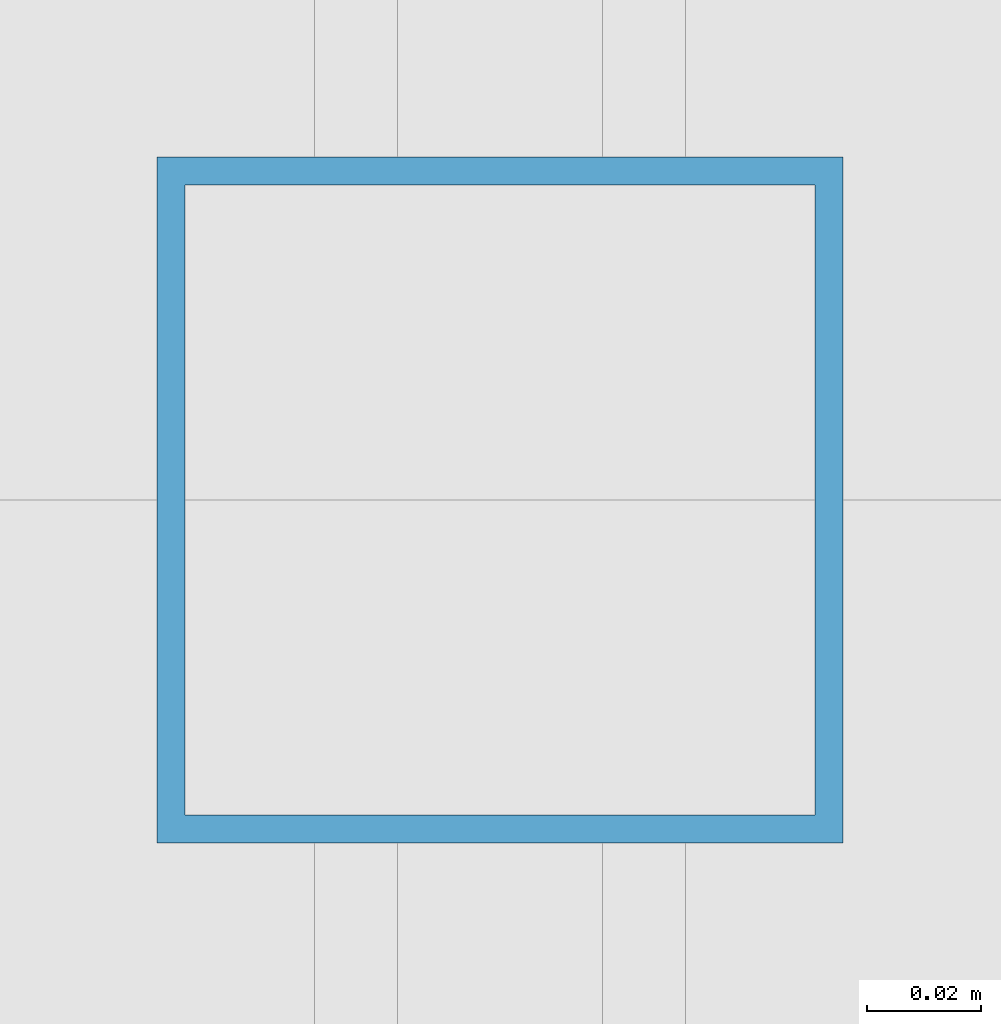
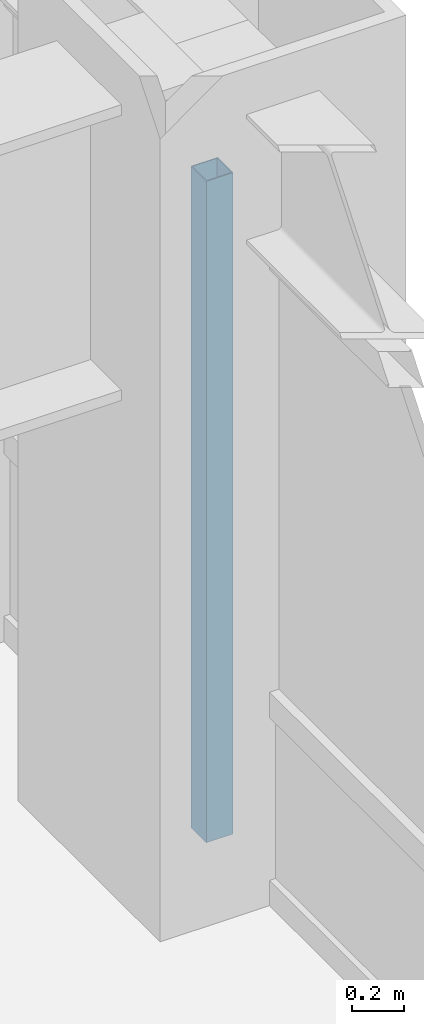
# One storey, part 10 of 26: 1 member, 1 element without a shape of its own.
"""IFC4 building model written with IfcOpenShell, lengths in metres."""

from ifc_helpers import new_model, si_unit, direction, frame, origin, origin_2d, place, context, subcontext, project, spatial, hollow_rectangle, extrude, source, transform, mapped, material, material_profile, profile_set, type_object, element, aggregate, save


model = new_model("IFC4")

# Units and contexts
model_context = context("Model", 3, precision=1e-05, world=origin(), true_north=direction((0.0, 1.0)))
body_context = subcontext(model_context, "Body", "Model", "MODEL_VIEW")
ifc_project = project(units=[si_unit("LENGTHUNIT", "METRE"), si_unit("AREAUNIT", "SQUARE_METRE"), si_unit("VOLUMEUNIT", "CUBIC_METRE"), si_unit("PLANEANGLEUNIT", "RADIAN"), si_unit("MASSUNIT", "GRAM", prefix="KILO")], contexts=[model_context])

# Site, building, storey
site_placement = place(None, origin())
site = spatial("IfcSite", under=ifc_project, at=site_placement, CompositionType="ELEMENT")
building_placement = place(site_placement, origin())
building = spatial("IfcBuilding", under=site, at=building_placement, Name="Khorayat Bourse Tower", CompositionType="ELEMENT")
storey_placement = place(building_placement, frame((0.0, 0.0, 207.10009765625)))
storey = spatial("IfcBuildingStorey", under=building, at=storey_placement, Name="L48", CompositionType="ELEMENT", Elevation=207.10009765625)

# Curtain wall, member
ifc_material = material(Name="Aluminium EN AW-6063 T6", Category="aluminium")
curtain_wall_type = type_object("IfcCurtainWallType", Name="CW-SYS-03", PredefinedType="NOTDEFINED", material=ifc_material)
curtain_wall_placement = place(storey_placement, origin())
curtain_wall = element("IfcCurtainWall", 1, at=curtain_wall_placement, inside=storey, type_object=curtain_wall_type, Name="L48 Curtain Wall CW-L48-E1", PredefinedType="NOTDEFINED")
ifc_material_profile = material_profile(ifc_material, hollow_rectangle(XDim=0.1201171875, YDim=0.1201171875, WallThickness=0.0048828125, at=origin_2d()), Name="ALU 120x120x5")
ifc_profile_set = profile_set([ifc_material_profile], Name="Aluminium EN AW-6063 T6")
member_type = type_object("IfcMemberType", Name="CWM-VERT-120", PredefinedType="MULLION", material=ifc_profile_set)
shared_shape = source(origin(), body_context, "Body", "SweptSolid", [
    extrude(hollow_rectangle(XDim=0.1201171875, YDim=0.1201171875, WallThickness=0.0048828125, at=origin_2d()), origin(), (0.0, 0.0, 1.0), 3.1298828125),
])
member_placement = place(storey_placement, frame((30.0, 0.0, 0.0), z_axis=(0.0, 0.0, 1.0), x_axis=(-1.0, 0.0, 0.0)))
member = element("IfcMember", 2, at=member_placement, type_object=member_type, Name="CW-L48-E1 Vertical Mullion 2", PredefinedType="MULLION", context=body_context, shape_type="MappedRepresentation", body=[
    mapped(shared_shape, transform((0.0, 0.0, 0.0), scale=1.0)),
])
aggregate(curtain_wall, [member])

save(model, "model.ifc")
